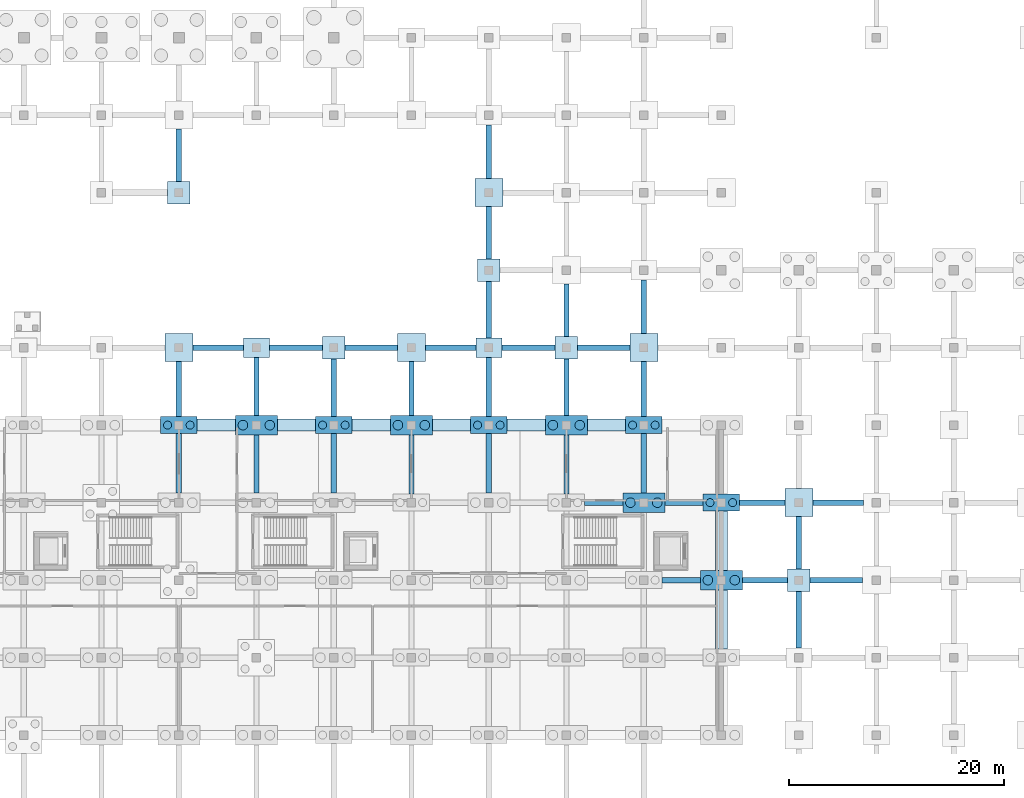
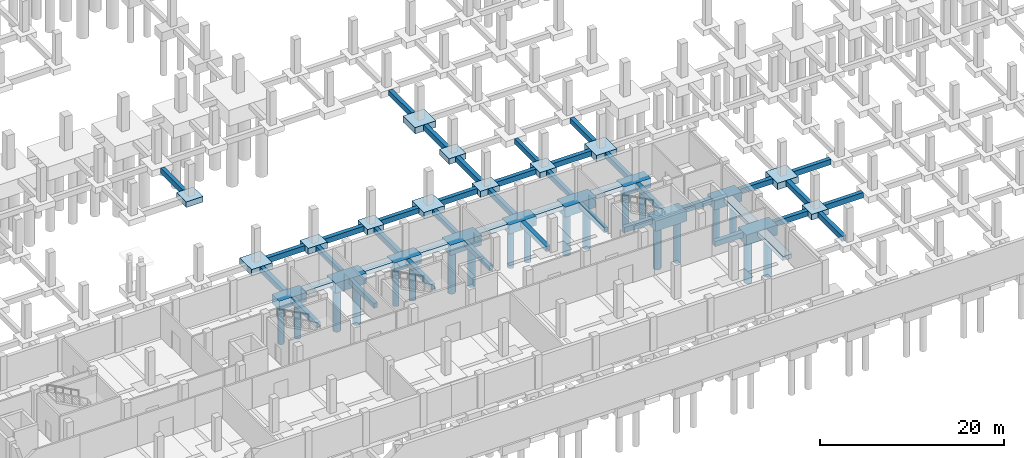
# One storey, part 6 of 22: 65 footings, 20 piles.
"""IFC4 building model written with IfcOpenShell, lengths in metres."""

from ifc_helpers import new_model, si_unit, direction, frame, origin, origin_2d, place, context, subcontext, project, spatial, polyline, rectangle, circle, outline, extrude, material, material_profile, profile_set, type_object, element, save


model = new_model("IFC4")

# Units and contexts
model_context = context("Model", 3, precision=1e-05, world=origin(), true_north=direction((0.0, 1.0)))
body_context = subcontext(model_context, "Body", "Model", "MODEL_VIEW")
ifc_project = project(units=[si_unit("LENGTHUNIT", "METRE"), si_unit("AREAUNIT", "SQUARE_METRE"), si_unit("VOLUMEUNIT", "CUBIC_METRE"), si_unit("PLANEANGLEUNIT", "RADIAN"), si_unit("MASSUNIT", "GRAM", prefix="KILO")], contexts=[model_context])

# Site, building, storey
site_placement = place(None, origin())
site = spatial("IfcSite", under=ifc_project, at=site_placement, CompositionType="ELEMENT")
building_placement = place(site_placement, origin())
building = spatial("IfcBuilding", under=site, at=building_placement, Name="Sardonyx Promenade Sports Hall", CompositionType="ELEMENT")
storey_placement = place(building_placement, frame((0.0, 0.0, -4.5)))
storey = spatial("IfcBuildingStorey", under=building, at=storey_placement, Name="B1", CompositionType="ELEMENT", Elevation=-4.5)

# Footings
ifc_material_1 = material(Name="Concrete C40/50", Category="concrete")
footing_type_1 = type_object("IfcFootingType", Name="Cap_2P_750", PredefinedType="PILE_CAP", material=ifc_material_1)
for number, where, z_axis, x_axis, name in (
    (1, (64.800048828125, 36.0, -1.2001953125), (0.0, 0.0, 1.0), (1.0, 0.0, 0.0), "Pile cap PC02 at (64.80, 36.00)"),
    (2, (79.199951171875, 36.0, -1.2001953125), (0.0, 0.0, 1.0), (1.0, 0.0, 0.0), "Pile cap PC02 at (79.20, 36.00)"),
    (3, (93.60009765625, 36.0, -1.2001953125), (0.0, 0.0, 1.0), (1.0, 0.0, 0.0), "Pile cap PC02 at (93.60, 36.00)"),
    (4, (108.0, 36.0, -1.2001953125), (0.0, 0.0, 1.0), (1.0, 0.0, 0.0), "Pile cap PC02 at (108.00, 36.00)"),
    (5, (115.199951171875, 28.800048828125, -1.2001953125), (0.0, 0.0, 1.0), (1.0, 0.0, 0.0), "Pile cap PC02 at (115.20, 28.80)"),
):
    element("IfcFooting", number, at=place(storey_placement, frame(where, z_axis=z_axis, x_axis=x_axis)), inside=storey, type_object=footing_type_1, Name=name, PredefinedType="PILE_CAP", context=body_context, shape_type="SweptSolid", body=[
        extrude(rectangle(XDim=3.39990234375, YDim=1.60009765625, at=origin_2d()), origin(), (0.0, 0.0, 1.0), 1.199951171875),
    ])
ifc_material_2 = material(Name="Concrete C40/50", Category="concrete")
footing_type_2 = type_object("IfcFootingType", Name="Cap_2P_900", PredefinedType="PILE_CAP", material=ifc_material_2)
for number, where, z_axis, x_axis, name in (
    (6, (72.0, 36.0, -1.35009765625), (0.0, 0.0, 1.0), (1.0, 0.0, 0.0), "Pile cap PC09 at (72.00, 36.00)"),
    (7, (86.39990234375, 36.0, -1.35009765625), (0.0, 0.0, 1.0), (1.0, 0.0, 0.0), "Pile cap PC09 at (86.40, 36.00)"),
    (8, (100.800048828125, 36.0, -1.35009765625), (0.0, 0.0, 1.0), (1.0, 0.0, 0.0), "Pile cap PC09 at (100.80, 36.00)"),
    (9, (108.0, 28.800048828125, -1.35009765625), (0.0, 0.0, 1.0), (1.0, 0.0, 0.0), "Pile cap PC09 at (108.00, 28.80)"),
    (10, (115.199951171875, 21.60009765625, -1.35009765625), (0.0, 0.0, 1.0), (1.0, 0.0, 0.0), "Pile cap PC09 at (115.20, 21.60)"),
):
    element("IfcFooting", number, at=place(storey_placement, frame(where, z_axis=z_axis, x_axis=x_axis)), inside=storey, type_object=footing_type_2, Name=name, PredefinedType="PILE_CAP", context=body_context, shape_type="SweptSolid", body=[
        extrude(rectangle(XDim=3.89990234375, YDim=1.800048828125, at=origin_2d()), origin(), (0.0, 0.0, 1.0), 1.35009765625),
    ])
ifc_material_3 = material(Name="Concrete C40/50", Category="concrete")
footing_type_3 = type_object("IfcFootingType", Name="Ftg_Beam_450x650", PredefinedType="FOOTING_BEAM", material=ifc_material_3)
footing_1_placement = place(storey_placement, frame((0.0, 0.0, -0.64990234375)))
element("IfcFooting", 11, at=footing_1_placement, inside=storey, type_object=footing_type_3, Name="Ground tie beam GB03 #318", PredefinedType="FOOTING_BEAM", context=body_context, shape_type="SweptSolid", body=[
    extrude(outline(polyline([(71.77490234375, 29.699951171875), (72.22509765625, 29.699951171875), (72.22509765625, 35.10009765625), (71.77490234375, 35.10009765625), (71.77490234375, 29.699951171875)])), origin(), (0.0, 0.0, 1.0), 0.64990234375),
])
footing_2_placement = place(storey_placement, frame((0.0, 0.0, -0.64990234375)))
element("IfcFooting", 12, at=footing_2_placement, inside=storey, type_object=footing_type_3, Name="Ground tie beam GB03 #319", PredefinedType="FOOTING_BEAM", context=body_context, shape_type="SweptSolid", body=[
    extrude(outline(polyline([(71.77490234375, 36.89990234375), (72.22509765625, 36.89990234375), (72.22509765625, 42.300048828125), (71.77490234375, 42.300048828125), (71.77490234375, 36.89990234375)])), origin(), (0.0, 0.0, 1.0), 0.64990234375),
])
footing_3_placement = place(storey_placement, frame((0.0, 0.0, -0.64990234375)))
element("IfcFooting", 13, at=footing_3_placement, inside=storey, type_object=footing_type_3, Name="Ground tie beam GB03 #336", PredefinedType="FOOTING_BEAM", context=body_context, shape_type="SweptSolid", body=[
    extrude(outline(polyline([(86.175048828125, 29.60009765625), (86.625, 29.60009765625), (86.625, 35.10009765625), (86.175048828125, 35.10009765625), (86.175048828125, 29.60009765625)])), origin(), (0.0, 0.0, 1.0), 0.64990234375),
])
footing_4_placement = place(storey_placement, frame((0.0, 0.0, -0.64990234375)))
element("IfcFooting", 14, at=footing_4_placement, inside=storey, type_object=footing_type_3, Name="Ground tie beam GB03 #337", PredefinedType="FOOTING_BEAM", context=body_context, shape_type="SweptSolid", body=[
    extrude(outline(polyline([(86.175048828125, 36.89990234375), (86.625, 36.89990234375), (86.625, 41.89990234375), (86.175048828125, 41.89990234375), (86.175048828125, 36.89990234375)])), origin(), (0.0, 0.0, 1.0), 0.64990234375),
])
footing_5_placement = place(storey_placement, frame((0.0, 0.0, -0.64990234375)))
element("IfcFooting", 15, at=footing_5_placement, inside=storey, type_object=footing_type_3, Name="Ground tie beam GB03 #355", PredefinedType="FOOTING_BEAM", context=body_context, shape_type="SweptSolid", body=[
    extrude(outline(polyline([(100.574951171875, 29.60009765625), (101.02490234375, 29.60009765625), (101.02490234375, 35.10009765625), (100.574951171875, 35.10009765625), (100.574951171875, 29.60009765625)])), origin(), (0.0, 0.0, 1.0), 0.64990234375),
])
footing_6_placement = place(storey_placement, frame((0.0, 0.0, -0.64990234375)))
element("IfcFooting", 16, at=footing_6_placement, inside=storey, type_object=footing_type_3, Name="Ground tie beam GB03 #356", PredefinedType="FOOTING_BEAM", context=body_context, shape_type="SweptSolid", body=[
    extrude(outline(polyline([(100.574951171875, 36.89990234375), (101.02490234375, 36.89990234375), (101.02490234375, 42.14990234375), (100.574951171875, 42.14990234375), (100.574951171875, 36.89990234375)])), origin(), (0.0, 0.0, 1.0), 0.64990234375),
])
footing_7_placement = place(storey_placement, frame((0.0, 0.0, -0.64990234375)))
element("IfcFooting", 17, at=footing_7_placement, inside=storey, type_object=footing_type_3, Name="Ground tie beam GB03 #357", PredefinedType="FOOTING_BEAM", context=body_context, shape_type="SweptSolid", body=[
    extrude(outline(polyline([(100.574951171875, 44.25), (101.02490234375, 44.25), (101.02490234375, 49.10009765625), (100.574951171875, 49.10009765625), (100.574951171875, 44.25)])), origin(), (0.0, 0.0, 1.0), 0.64990234375),
])
ifc_material_4 = material(Name="Concrete C40/50", Category="concrete")
footing_type_4 = type_object("IfcFootingType", Name="Ftg_Beam_500x700", PredefinedType="FOOTING_BEAM", material=ifc_material_4)
footing_8_placement = place(storey_placement, frame((0.0, 0.0, -0.699951171875)))
element("IfcFooting", 18, at=footing_8_placement, inside=storey, type_object=footing_type_4, Name="Ground tie beam GB01 #62", PredefinedType="FOOTING_BEAM", context=body_context, shape_type="SweptSolid", body=[
    extrude(outline(polyline([(109.699951171875, 21.35009765625), (113.25, 21.35009765625), (113.25, 21.85009765625), (109.699951171875, 21.85009765625), (109.699951171875, 21.35009765625)])), origin(), (0.0, 0.0, 1.0), 0.699951171875),
])
footing_9_placement = place(storey_placement, frame((0.0, 0.0, -0.699951171875)))
element("IfcFooting", 19, at=footing_9_placement, inside=storey, type_object=footing_type_4, Name="Ground tie beam GB01 #63", PredefinedType="FOOTING_BEAM", context=body_context, shape_type="SweptSolid", body=[
    extrude(outline(polyline([(117.14990234375, 21.35009765625), (121.35009765625, 21.35009765625), (121.35009765625, 21.85009765625), (117.14990234375, 21.85009765625), (117.14990234375, 21.35009765625)])), origin(), (0.0, 0.0, 1.0), 0.699951171875),
])
footing_10_placement = place(storey_placement, frame((0.0, 0.0, -0.699951171875)))
element("IfcFooting", 20, at=footing_10_placement, inside=storey, type_object=footing_type_4, Name="Ground tie beam GB01 #64", PredefinedType="FOOTING_BEAM", context=body_context, shape_type="SweptSolid", body=[
    extrude(outline(polyline([(123.449951171875, 21.35009765625), (128.300048828125, 21.35009765625), (128.300048828125, 21.85009765625), (123.449951171875, 21.85009765625), (123.449951171875, 21.35009765625)])), origin(), (0.0, 0.0, 1.0), 0.699951171875),
])
footing_11_placement = place(storey_placement, frame((0.0, 0.0, -0.699951171875)))
element("IfcFooting", 21, at=footing_11_placement, inside=storey, type_object=footing_type_4, Name="Ground tie beam GB01 #84", PredefinedType="FOOTING_BEAM", context=body_context, shape_type="SweptSolid", body=[
    extrude(outline(polyline([(102.5, 28.550048828125), (106.050048828125, 28.550048828125), (106.050048828125, 29.050048828125), (102.5, 29.050048828125), (102.5, 28.550048828125)])), origin(), (0.0, 0.0, 1.0), 0.699951171875),
])
footing_12_placement = place(storey_placement, frame((0.0, 0.0, -0.699951171875)))
element("IfcFooting", 22, at=footing_12_placement, inside=storey, type_object=footing_type_4, Name="Ground tie beam GB01 #85", PredefinedType="FOOTING_BEAM", context=body_context, shape_type="SweptSolid", body=[
    extrude(outline(polyline([(109.949951171875, 28.550048828125), (113.5, 28.550048828125), (113.5, 29.050048828125), (109.949951171875, 29.050048828125), (109.949951171875, 28.550048828125)])), origin(), (0.0, 0.0, 1.0), 0.699951171875),
])
footing_13_placement = place(storey_placement, frame((0.0, 0.0, -0.699951171875)))
element("IfcFooting", 23, at=footing_13_placement, inside=storey, type_object=footing_type_4, Name="Ground tie beam GB01 #86", PredefinedType="FOOTING_BEAM", context=body_context, shape_type="SweptSolid", body=[
    extrude(outline(polyline([(116.89990234375, 28.550048828125), (121.10009765625, 28.550048828125), (121.10009765625, 29.050048828125), (116.89990234375, 29.050048828125), (116.89990234375, 28.550048828125)])), origin(), (0.0, 0.0, 1.0), 0.699951171875),
])
footing_14_placement = place(storey_placement, frame((0.0, 0.0, -0.699951171875)))
element("IfcFooting", 24, at=footing_14_placement, inside=storey, type_object=footing_type_4, Name="Ground tie beam GB01 #87", PredefinedType="FOOTING_BEAM", context=body_context, shape_type="SweptSolid", body=[
    extrude(outline(polyline([(123.699951171875, 28.550048828125), (128.39990234375, 28.550048828125), (128.39990234375, 29.050048828125), (123.699951171875, 29.050048828125), (123.699951171875, 28.550048828125)])), origin(), (0.0, 0.0, 1.0), 0.699951171875),
])
footing_15_placement = place(storey_placement, frame((0.0, 0.0, -0.699951171875)))
element("IfcFooting", 25, at=footing_15_placement, inside=storey, type_object=footing_type_4, Name="Ground tie beam GB01 #99", PredefinedType="FOOTING_BEAM", context=body_context, shape_type="SweptSolid", body=[
    extrude(outline(polyline([(66.10009765625, 42.949951171875), (70.800048828125, 42.949951171875), (70.800048828125, 43.449951171875), (66.10009765625, 43.449951171875), (66.10009765625, 42.949951171875)])), origin(), (0.0, 0.0, 1.0), 0.699951171875),
])
footing_16_placement = place(storey_placement, frame((0.0, 0.0, -0.699951171875)))
element("IfcFooting", 26, at=footing_16_placement, inside=storey, type_object=footing_type_4, Name="Ground tie beam GB01 #100", PredefinedType="FOOTING_BEAM", context=body_context, shape_type="SweptSolid", body=[
    extrude(outline(polyline([(73.199951171875, 42.949951171875), (78.14990234375, 42.949951171875), (78.14990234375, 43.449951171875), (73.199951171875, 43.449951171875), (73.199951171875, 42.949951171875)])), origin(), (0.0, 0.0, 1.0), 0.699951171875),
])
footing_17_placement = place(storey_placement, frame((0.0, 0.0, -0.699951171875)))
element("IfcFooting", 27, at=footing_17_placement, inside=storey, type_object=footing_type_4, Name="Ground tie beam GB01 #101", PredefinedType="FOOTING_BEAM", context=body_context, shape_type="SweptSolid", body=[
    extrude(outline(polyline([(80.25, 42.949951171875), (85.10009765625, 42.949951171875), (85.10009765625, 43.449951171875), (80.25, 43.449951171875), (80.25, 42.949951171875)])), origin(), (0.0, 0.0, 1.0), 0.699951171875),
])
footing_18_placement = place(storey_placement, frame((0.0, 0.0, -0.699951171875)))
element("IfcFooting", 28, at=footing_18_placement, inside=storey, type_object=footing_type_4, Name="Ground tie beam GB01 #102", PredefinedType="FOOTING_BEAM", context=body_context, shape_type="SweptSolid", body=[
    extrude(outline(polyline([(87.699951171875, 42.949951171875), (92.39990234375, 42.949951171875), (92.39990234375, 43.449951171875), (87.699951171875, 43.449951171875), (87.699951171875, 42.949951171875)])), origin(), (0.0, 0.0, 1.0), 0.699951171875),
])
footing_19_placement = place(storey_placement, frame((0.0, 0.0, -0.699951171875)))
element("IfcFooting", 29, at=footing_19_placement, inside=storey, type_object=footing_type_4, Name="Ground tie beam GB01 #103", PredefinedType="FOOTING_BEAM", context=body_context, shape_type="SweptSolid", body=[
    extrude(outline(polyline([(94.800048828125, 42.949951171875), (99.75, 42.949951171875), (99.75, 43.449951171875), (94.800048828125, 43.449951171875), (94.800048828125, 42.949951171875)])), origin(), (0.0, 0.0, 1.0), 0.699951171875),
])
footing_20_placement = place(storey_placement, frame((0.0, 0.0, -0.699951171875)))
element("IfcFooting", 30, at=footing_20_placement, inside=storey, type_object=footing_type_4, Name="Ground tie beam GB01 #104", PredefinedType="FOOTING_BEAM", context=body_context, shape_type="SweptSolid", body=[
    extrude(outline(polyline([(101.85009765625, 42.949951171875), (106.699951171875, 42.949951171875), (106.699951171875, 43.449951171875), (101.85009765625, 43.449951171875), (101.85009765625, 42.949951171875)])), origin(), (0.0, 0.0, 1.0), 0.699951171875),
])
footing_21_placement = place(storey_placement, frame((0.0, 0.0, -0.699951171875)))
element("IfcFooting", 31, at=footing_21_placement, inside=storey, type_object=footing_type_4, Name="Ground tie beam GB01 #308", PredefinedType="FOOTING_BEAM", context=body_context, shape_type="SweptSolid", body=[
    extrude(outline(polyline([(64.550048828125, 29.699951171875), (65.050048828125, 29.699951171875), (65.050048828125, 35.199951171875), (64.550048828125, 35.199951171875), (64.550048828125, 29.699951171875)])), origin(), (0.0, 0.0, 1.0), 0.699951171875),
])
footing_22_placement = place(storey_placement, frame((0.0, 0.0, -0.699951171875)))
element("IfcFooting", 32, at=footing_22_placement, inside=storey, type_object=footing_type_4, Name="Ground tie beam GB01 #309", PredefinedType="FOOTING_BEAM", context=body_context, shape_type="SweptSolid", body=[
    extrude(outline(polyline([(64.550048828125, 36.800048828125), (65.050048828125, 36.800048828125), (65.050048828125, 41.89990234375), (64.550048828125, 41.89990234375), (64.550048828125, 36.800048828125)])), origin(), (0.0, 0.0, 1.0), 0.699951171875),
])
footing_23_placement = place(storey_placement, frame((0.0, 0.0, -0.699951171875)))
element("IfcFooting", 33, at=footing_23_placement, inside=storey, type_object=footing_type_4, Name="Ground tie beam GB01 #310", PredefinedType="FOOTING_BEAM", context=body_context, shape_type="SweptSolid", body=[
    extrude(outline(polyline([(64.550048828125, 58.64990234375), (65.050048828125, 58.64990234375), (65.050048828125, 63.5), (64.550048828125, 63.5), (64.550048828125, 58.64990234375)])), origin(), (0.0, 0.0, 1.0), 0.699951171875),
])
footing_24_placement = place(storey_placement, frame((0.0, 0.0, -0.699951171875)))
element("IfcFooting", 34, at=footing_24_placement, inside=storey, type_object=footing_type_4, Name="Ground tie beam GB01 #325", PredefinedType="FOOTING_BEAM", context=body_context, shape_type="SweptSolid", body=[
    extrude(outline(polyline([(78.949951171875, 29.699951171875), (79.449951171875, 29.699951171875), (79.449951171875, 35.199951171875), (78.949951171875, 35.199951171875), (78.949951171875, 29.699951171875)])), origin(), (0.0, 0.0, 1.0), 0.699951171875),
])
footing_25_placement = place(storey_placement, frame((0.0, 0.0, -0.699951171875)))
element("IfcFooting", 35, at=footing_25_placement, inside=storey, type_object=footing_type_4, Name="Ground tie beam GB01 #326", PredefinedType="FOOTING_BEAM", context=body_context, shape_type="SweptSolid", body=[
    extrude(outline(polyline([(78.949951171875, 36.800048828125), (79.449951171875, 36.800048828125), (79.449951171875, 42.14990234375), (78.949951171875, 42.14990234375), (78.949951171875, 36.800048828125)])), origin(), (0.0, 0.0, 1.0), 0.699951171875),
])
footing_26_placement = place(storey_placement, frame((0.0, 0.0, -0.699951171875)))
element("IfcFooting", 36, at=footing_26_placement, inside=storey, type_object=footing_type_4, Name="Ground tie beam GB01 #344", PredefinedType="FOOTING_BEAM", context=body_context, shape_type="SweptSolid", body=[
    extrude(outline(polyline([(93.35009765625, 29.699951171875), (93.85009765625, 29.699951171875), (93.85009765625, 35.199951171875), (93.35009765625, 35.199951171875), (93.35009765625, 29.699951171875)])), origin(), (0.0, 0.0, 1.0), 0.699951171875),
])
footing_27_placement = place(storey_placement, frame((0.0, 0.0, -0.699951171875)))
element("IfcFooting", 37, at=footing_27_placement, inside=storey, type_object=footing_type_4, Name="Ground tie beam GB01 #345", PredefinedType="FOOTING_BEAM", context=body_context, shape_type="SweptSolid", body=[
    extrude(outline(polyline([(93.35009765625, 36.800048828125), (93.85009765625, 36.800048828125), (93.85009765625, 42.300048828125), (93.35009765625, 42.300048828125), (93.35009765625, 36.800048828125)])), origin(), (0.0, 0.0, 1.0), 0.699951171875),
])
footing_28_placement = place(storey_placement, frame((0.0, 0.0, -0.699951171875)))
element("IfcFooting", 38, at=footing_28_placement, inside=storey, type_object=footing_type_4, Name="Ground tie beam GB01 #346", PredefinedType="FOOTING_BEAM", context=body_context, shape_type="SweptSolid", body=[
    extrude(outline(polyline([(93.35009765625, 44.10009765625), (93.85009765625, 44.10009765625), (93.85009765625, 49.35009765625), (93.35009765625, 49.35009765625), (93.35009765625, 44.10009765625)])), origin(), (0.0, 0.0, 1.0), 0.699951171875),
])
footing_29_placement = place(storey_placement, frame((0.0, 0.0, -0.699951171875)))
element("IfcFooting", 39, at=footing_29_placement, inside=storey, type_object=footing_type_4, Name="Ground tie beam GB01 #347", PredefinedType="FOOTING_BEAM", context=body_context, shape_type="SweptSolid", body=[
    extrude(outline(polyline([(93.35009765625, 51.449951171875), (93.85009765625, 51.449951171875), (93.85009765625, 56.300048828125), (93.35009765625, 56.300048828125), (93.35009765625, 51.449951171875)])), origin(), (0.0, 0.0, 1.0), 0.699951171875),
])
footing_30_placement = place(storey_placement, frame((0.0, 0.0, -0.699951171875)))
element("IfcFooting", 40, at=footing_30_placement, inside=storey, type_object=footing_type_4, Name="Ground tie beam GB01 #348", PredefinedType="FOOTING_BEAM", context=body_context, shape_type="SweptSolid", body=[
    extrude(outline(polyline([(93.35009765625, 58.89990234375), (93.85009765625, 58.89990234375), (93.85009765625, 63.89990234375), (93.35009765625, 63.89990234375), (93.35009765625, 58.89990234375)])), origin(), (0.0, 0.0, 1.0), 0.699951171875),
])
footing_31_placement = place(storey_placement, frame((0.0, 0.0, -0.699951171875)))
element("IfcFooting", 41, at=footing_31_placement, inside=storey, type_object=footing_type_4, Name="Ground tie beam GB01 #366", PredefinedType="FOOTING_BEAM", context=body_context, shape_type="SweptSolid", body=[
    extrude(outline(polyline([(107.75, 29.699951171875), (108.25, 29.699951171875), (108.25, 35.199951171875), (107.75, 35.199951171875), (107.75, 29.699951171875)])), origin(), (0.0, 0.0, 1.0), 0.699951171875),
])
footing_32_placement = place(storey_placement, frame((0.0, 0.0, -0.699951171875)))
element("IfcFooting", 42, at=footing_32_placement, inside=storey, type_object=footing_type_4, Name="Ground tie beam GB01 #367", PredefinedType="FOOTING_BEAM", context=body_context, shape_type="SweptSolid", body=[
    extrude(outline(polyline([(107.75, 36.800048828125), (108.25, 36.800048828125), (108.25, 41.89990234375), (107.75, 41.89990234375), (107.75, 36.800048828125)])), origin(), (0.0, 0.0, 1.0), 0.699951171875),
])
footing_33_placement = place(storey_placement, frame((0.0, 0.0, -0.699951171875)))
element("IfcFooting", 43, at=footing_33_placement, inside=storey, type_object=footing_type_4, Name="Ground tie beam GB01 #368", PredefinedType="FOOTING_BEAM", context=body_context, shape_type="SweptSolid", body=[
    extrude(outline(polyline([(107.75, 44.5), (108.25, 44.5), (108.25, 49.5), (107.75, 49.5), (107.75, 44.5)])), origin(), (0.0, 0.0, 1.0), 0.699951171875),
])
footing_34_placement = place(storey_placement, frame((0.0, 0.0, -0.699951171875)))
element("IfcFooting", 44, at=footing_34_placement, inside=storey, type_object=footing_type_4, Name="Ground tie beam GB01 #380", PredefinedType="FOOTING_BEAM", context=body_context, shape_type="SweptSolid", body=[
    extrude(outline(polyline([(122.14990234375, 15.300048828125), (122.64990234375, 15.300048828125), (122.64990234375, 20.550048828125), (122.14990234375, 20.550048828125), (122.14990234375, 15.300048828125)])), origin(), (0.0, 0.0, 1.0), 0.699951171875),
])
footing_35_placement = place(storey_placement, frame((0.0, 0.0, -0.699951171875)))
element("IfcFooting", 45, at=footing_35_placement, inside=storey, type_object=footing_type_4, Name="Ground tie beam GB01 #381", PredefinedType="FOOTING_BEAM", context=body_context, shape_type="SweptSolid", body=[
    extrude(outline(polyline([(122.14990234375, 22.64990234375), (122.64990234375, 22.64990234375), (122.64990234375, 27.5), (122.14990234375, 27.5), (122.14990234375, 22.64990234375)])), origin(), (0.0, 0.0, 1.0), 0.699951171875),
])
ifc_material_5 = material(Name="Concrete C40/50", Category="concrete")
footing_type_5 = type_object("IfcFootingType", Name="Ftg_Pad_2100", PredefinedType="PAD_FOOTING", material=ifc_material_5)
for number, where, z_axis, x_axis, name in (
    (46, (79.199951171875, 43.199951171875, -0.75), (0.0, 0.0, 1.0), (1.0, 0.0, 0.0), "Rock-bearing pad footing PF02 at (79.20, 43.20)"),
    (47, (93.60009765625, 50.39990234375, -0.75), (0.0, 0.0, 1.0), (1.0, 0.0, 0.0), "Rock-bearing pad footing PF02 at (93.60, 50.40)"),
    (48, (100.800048828125, 43.199951171875, -0.75), (0.0, 0.0, 1.0), (1.0, 0.0, 0.0), "Rock-bearing pad footing PF02 at (100.80, 43.20)"),
    (49, (122.39990234375, 21.60009765625, -0.75), (0.0, 0.0, 1.0), (1.0, 0.0, 0.0), "Rock-bearing pad footing PF02 at (122.40, 21.60)"),
    (50, (64.800048828125, 57.60009765625, -0.75), (0.0, 0.0, 1.0), (1.0, 0.0, 0.0), "Substructure court slab pad footing PF02 #45"),
):
    element("IfcFooting", number, at=place(storey_placement, frame(where, z_axis=z_axis, x_axis=x_axis)), inside=storey, type_object=footing_type_5, Name=name, PredefinedType="PAD_FOOTING", context=body_context, shape_type="SweptSolid", body=[
        extrude(rectangle(XDim=2.10009765625, YDim=2.10009765625, at=origin_2d()), origin(), (0.0, 0.0, 1.0), 0.75),
    ])
ifc_material_6 = material(Name="Concrete C40/50", Category="concrete")
footing_type_6 = type_object("IfcFootingType", Name="Ftg_Pad_2400x1800", PredefinedType="PAD_FOOTING", material=ifc_material_6)
for number, where, z_axis, x_axis, name in (
    (51, (72.0, 43.199951171875, -0.7998046875), (0.0, 0.0, 1.0), (1.0, 0.0, 0.0), "Rock-bearing pad footing PF03 at (72.00, 43.20)"),
    (52, (93.60009765625, 43.199951171875, -0.7998046875), (0.0, 0.0, 1.0), (1.0, 0.0, 0.0), "Rock-bearing pad footing PF03 at (93.60, 43.20)"),
):
    element("IfcFooting", number, at=place(storey_placement, frame(where, z_axis=z_axis, x_axis=x_axis)), inside=storey, type_object=footing_type_6, Name=name, PredefinedType="PAD_FOOTING", context=body_context, shape_type="SweptSolid", body=[
        extrude(rectangle(XDim=2.39990234375, YDim=1.800048828125, at=origin_2d()), origin(), (0.0, 0.0, 1.0), 0.800048828125),
    ])
ifc_material_7 = material(Name="Concrete C40/50", Category="concrete")
footing_type_7 = type_object("IfcFootingType", Name="Ftg_Pad_2600", PredefinedType="PAD_FOOTING", material=ifc_material_7)
for number, where, z_axis, x_axis, name in (
    (53, (64.800048828125, 43.199951171875, -0.85009765625), (0.0, 0.0, 1.0), (1.0, 0.0, 0.0), "Rock-bearing pad footing PF04 at (64.80, 43.20)"),
    (54, (86.39990234375, 43.199951171875, -0.85009765625), (0.0, 0.0, 1.0), (1.0, 0.0, 0.0), "Rock-bearing pad footing PF04 at (86.40, 43.20)"),
    (55, (93.60009765625, 57.60009765625, -0.85009765625), (0.0, 0.0, 1.0), (1.0, 0.0, 0.0), "Rock-bearing pad footing PF04 at (93.60, 57.60)"),
    (56, (108.0, 43.199951171875, -0.85009765625), (0.0, 0.0, 1.0), (1.0, 0.0, 0.0), "Rock-bearing pad footing PF04 at (108.00, 43.20)"),
    (57, (122.39990234375, 28.800048828125, -0.85009765625), (0.0, 0.0, 1.0), (1.0, 0.0, 0.0), "Rock-bearing pad footing PF04 at (122.40, 28.80)"),
):
    element("IfcFooting", number, at=place(storey_placement, frame(where, z_axis=z_axis, x_axis=x_axis)), inside=storey, type_object=footing_type_7, Name=name, PredefinedType="PAD_FOOTING", context=body_context, shape_type="SweptSolid", body=[
        extrude(rectangle(XDim=2.60009765625, YDim=2.60009765625, at=origin_2d()), origin(), (0.0, 0.0, 1.0), 0.85009765625),
    ])
ifc_material_8 = material(Name="Concrete C40/50", Category="concrete")
footing_type_8 = type_object("IfcFootingType", Name="Ftg_Strip_1100x550", PredefinedType="STRIP_FOOTING", material=ifc_material_8)
footing_36_placement = place(storey_placement, frame((0.0, 0.0, -0.550048828125)))
element("IfcFooting", 58, at=footing_36_placement, inside=storey, type_object=footing_type_8, Name="Basement wall strip footing SF02 #20", PredefinedType="STRIP_FOOTING", context=body_context, shape_type="SweptSolid", body=[
    extrude(outline(polyline([(66.5, 35.449951171875), (70.050048828125, 35.449951171875), (70.050048828125, 36.550048828125), (66.5, 36.550048828125), (66.5, 35.449951171875)])), origin(), (0.0, 0.0, 1.0), 0.550048828125),
])
footing_37_placement = place(storey_placement, frame((0.0, 0.0, -0.550048828125)))
element("IfcFooting", 59, at=footing_37_placement, inside=storey, type_object=footing_type_8, Name="Basement wall strip footing SF02 #21", PredefinedType="STRIP_FOOTING", context=body_context, shape_type="SweptSolid", body=[
    extrude(outline(polyline([(73.949951171875, 35.449951171875), (77.5, 35.449951171875), (77.5, 36.550048828125), (73.949951171875, 36.550048828125), (73.949951171875, 35.449951171875)])), origin(), (0.0, 0.0, 1.0), 0.550048828125),
])
footing_38_placement = place(storey_placement, frame((0.0, 0.0, -0.550048828125)))
element("IfcFooting", 60, at=footing_38_placement, inside=storey, type_object=footing_type_8, Name="Basement wall strip footing SF02 #22", PredefinedType="STRIP_FOOTING", context=body_context, shape_type="SweptSolid", body=[
    extrude(outline(polyline([(80.89990234375, 35.449951171875), (84.449951171875, 35.449951171875), (84.449951171875, 36.550048828125), (80.89990234375, 36.550048828125), (80.89990234375, 35.449951171875)])), origin(), (0.0, 0.0, 1.0), 0.550048828125),
])
footing_39_placement = place(storey_placement, frame((0.0, 0.0, -0.550048828125)))
element("IfcFooting", 61, at=footing_39_placement, inside=storey, type_object=footing_type_8, Name="Basement wall strip footing SF02 #23", PredefinedType="STRIP_FOOTING", context=body_context, shape_type="SweptSolid", body=[
    extrude(outline(polyline([(88.35009765625, 35.449951171875), (91.89990234375, 35.449951171875), (91.89990234375, 36.550048828125), (88.35009765625, 36.550048828125), (88.35009765625, 35.449951171875)])), origin(), (0.0, 0.0, 1.0), 0.550048828125),
])
footing_40_placement = place(storey_placement, frame((0.0, 0.0, -0.550048828125)))
element("IfcFooting", 62, at=footing_40_placement, inside=storey, type_object=footing_type_8, Name="Basement wall strip footing SF02 #24", PredefinedType="STRIP_FOOTING", context=body_context, shape_type="SweptSolid", body=[
    extrude(outline(polyline([(95.300048828125, 35.449951171875), (98.85009765625, 35.449951171875), (98.85009765625, 36.550048828125), (95.300048828125, 36.550048828125), (95.300048828125, 35.449951171875)])), origin(), (0.0, 0.0, 1.0), 0.550048828125),
])
footing_41_placement = place(storey_placement, frame((0.0, 0.0, -0.550048828125)))
element("IfcFooting", 63, at=footing_41_placement, inside=storey, type_object=footing_type_8, Name="Basement wall strip footing SF02 #25", PredefinedType="STRIP_FOOTING", context=body_context, shape_type="SweptSolid", body=[
    extrude(outline(polyline([(102.75, 35.449951171875), (106.300048828125, 35.449951171875), (106.300048828125, 36.550048828125), (102.75, 36.550048828125), (102.75, 35.449951171875)])), origin(), (0.0, 0.0, 1.0), 0.550048828125),
])
footing_42_placement = place(storey_placement, frame((0.0, 0.0, -0.550048828125)))
element("IfcFooting", 64, at=footing_42_placement, inside=storey, type_object=footing_type_8, Name="Basement wall strip footing SF02 #32", PredefinedType="STRIP_FOOTING", context=body_context, shape_type="SweptSolid", body=[
    extrude(outline(polyline([(114.64990234375, 15.199951171875), (115.75, 15.199951171875), (115.75, 20.699951171875), (114.64990234375, 20.699951171875), (114.64990234375, 15.199951171875)])), origin(), (0.0, 0.0, 1.0), 0.550048828125),
])
footing_43_placement = place(storey_placement, frame((0.0, 0.0, -0.550048828125)))
element("IfcFooting", 65, at=footing_43_placement, inside=storey, type_object=footing_type_8, Name="Basement wall strip footing SF02 #33", PredefinedType="STRIP_FOOTING", context=body_context, shape_type="SweptSolid", body=[
    extrude(outline(polyline([(114.64990234375, 22.5), (115.75, 22.5), (115.75, 28.0), (114.64990234375, 28.0), (114.64990234375, 22.5)])), origin(), (0.0, 0.0, 1.0), 0.550048828125),
])

# Piles
ifc_material_9 = material(Name="Concrete C40/50", Category="concrete")
ifc_material_profile_1 = material_profile(ifc_material_9, circle(Radius=0.375, at=origin_2d()))
ifc_profile_set_1 = profile_set([ifc_material_profile_1], Name="Concrete C40/50")
pile_type_1 = type_object("IfcPileType", Name="Pile_BP750", PredefinedType="BORED", material=ifc_profile_set_1)
for number, where, z_axis, x_axis, name in (
    (66, (63.75, 36.0, -1.10009765625), (0.0, 0.0, -1.0), (1.0, 0.0, 0.0), "Bored pile BP02 #1 under ftg:cap:64.800_36.000"),
    (67, (65.85009765625, 36.0, -1.10009765625), (0.0, 0.0, -1.0), (1.0, 0.0, 0.0), "Bored pile BP02 #2 under ftg:cap:64.800_36.000"),
    (68, (78.14990234375, 36.0, -1.10009765625), (0.0, 0.0, -1.0), (1.0, 0.0, 0.0), "Bored pile BP02 #1 under ftg:cap:79.200_36.000"),
    (69, (80.25, 36.0, -1.10009765625), (0.0, 0.0, -1.0), (1.0, 0.0, 0.0), "Bored pile BP02 #2 under ftg:cap:79.200_36.000"),
    (70, (92.550048828125, 36.0, -1.10009765625), (0.0, 0.0, -1.0), (1.0, 0.0, 0.0), "Bored pile BP02 #1 under ftg:cap:93.600_36.000"),
    (71, (94.64990234375, 36.0, -1.10009765625), (0.0, 0.0, -1.0), (1.0, 0.0, 0.0), "Bored pile BP02 #2 under ftg:cap:93.600_36.000"),
    (72, (106.949951171875, 36.0, -1.10009765625), (0.0, 0.0, -1.0), (1.0, 0.0, 0.0), "Bored pile BP02 #1 under ftg:cap:108.000_36.000"),
    (73, (109.050048828125, 36.0, -1.10009765625), (0.0, 0.0, -1.0), (1.0, 0.0, 0.0), "Bored pile BP02 #2 under ftg:cap:108.000_36.000"),
    (74, (114.14990234375, 28.800048828125, -1.10009765625), (0.0, 0.0, -1.0), (1.0, 0.0, 0.0), "Bored pile BP02 #1 under ftg:cap:115.200_28.800"),
    (75, (116.25, 28.800048828125, -1.10009765625), (0.0, 0.0, -1.0), (1.0, 0.0, 0.0), "Bored pile BP02 #2 under ftg:cap:115.200_28.800"),
):
    element("IfcPile", number, at=place(storey_placement, frame(where, z_axis=z_axis, x_axis=x_axis)), inside=storey, type_object=pile_type_1, Name=name, PredefinedType="BORED", context=body_context, shape_type="SweptSolid", body=[
        extrude(circle(Radius=0.375, at=origin_2d()), origin(), (0.0, 0.0, 1.0), 5.10009765625),
    ])
ifc_material_10 = material(Name="Concrete C40/50", Category="concrete")
ifc_material_profile_2 = material_profile(ifc_material_10, circle(Radius=0.449951171875, at=origin_2d()))
ifc_profile_set_2 = profile_set([ifc_material_profile_2], Name="Concrete C40/50")
pile_type_2 = type_object("IfcPileType", Name="Pile_BP900", PredefinedType="BORED", material=ifc_profile_set_2)
for number, where, z_axis, x_axis, name in (
    (76, (70.75, 36.0, -1.25), (0.0, 0.0, -1.0), (1.0, 0.0, 0.0), "Bored pile BP05 #1 under ftg:cap:72.000_36.000"),
    (77, (73.25, 36.0, -1.25), (0.0, 0.0, -1.0), (1.0, 0.0, 0.0), "Bored pile BP05 #2 under ftg:cap:72.000_36.000"),
    (78, (85.14990234375, 36.0, -1.25), (0.0, 0.0, -1.0), (1.0, 0.0, 0.0), "Bored pile BP05 #1 under ftg:cap:86.400_36.000"),
    (79, (87.64990234375, 36.0, -1.25), (0.0, 0.0, -1.0), (1.0, 0.0, 0.0), "Bored pile BP05 #2 under ftg:cap:86.400_36.000"),
    (80, (99.550048828125, 36.0, -1.25), (0.0, 0.0, -1.0), (1.0, 0.0, 0.0), "Bored pile BP05 #1 under ftg:cap:100.800_36.000"),
    (81, (102.050048828125, 36.0, -1.25), (0.0, 0.0, -1.0), (1.0, 0.0, 0.0), "Bored pile BP05 #2 under ftg:cap:100.800_36.000"),
    (82, (106.75, 28.800048828125, -1.25), (0.0, 0.0, -1.0), (1.0, 0.0, 0.0), "Bored pile BP05 #1 under ftg:cap:108.000_28.800"),
    (83, (109.25, 28.800048828125, -1.25), (0.0, 0.0, -1.0), (1.0, 0.0, 0.0), "Bored pile BP05 #2 under ftg:cap:108.000_28.800"),
    (84, (113.949951171875, 21.60009765625, -1.25), (0.0, 0.0, -1.0), (1.0, 0.0, 0.0), "Bored pile BP05 #1 under ftg:cap:115.200_21.600"),
    (85, (116.449951171875, 21.60009765625, -1.25), (0.0, 0.0, -1.0), (1.0, 0.0, 0.0), "Bored pile BP05 #2 under ftg:cap:115.200_21.600"),
):
    element("IfcPile", number, at=place(storey_placement, frame(where, z_axis=z_axis, x_axis=x_axis)), inside=storey, type_object=pile_type_2, Name=name, PredefinedType="BORED", context=body_context, shape_type="SweptSolid", body=[
        extrude(circle(Radius=0.449951171875, at=origin_2d()), origin(), (0.0, 0.0, 1.0), 5.699951171875),
    ])

save(model, "model.ifc")
